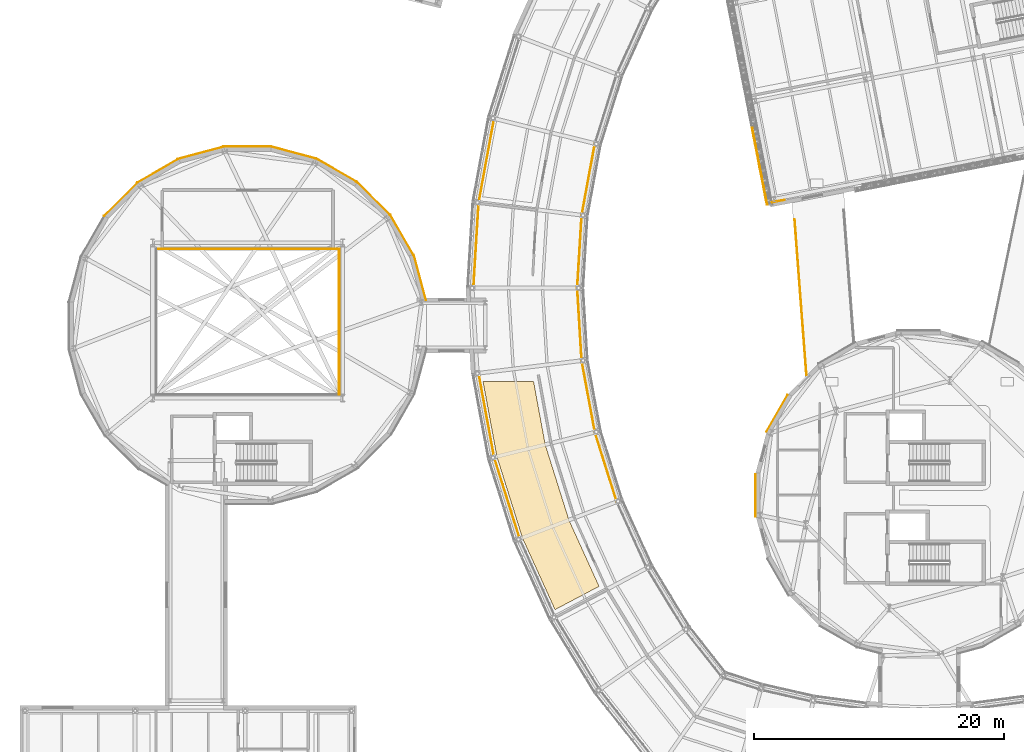
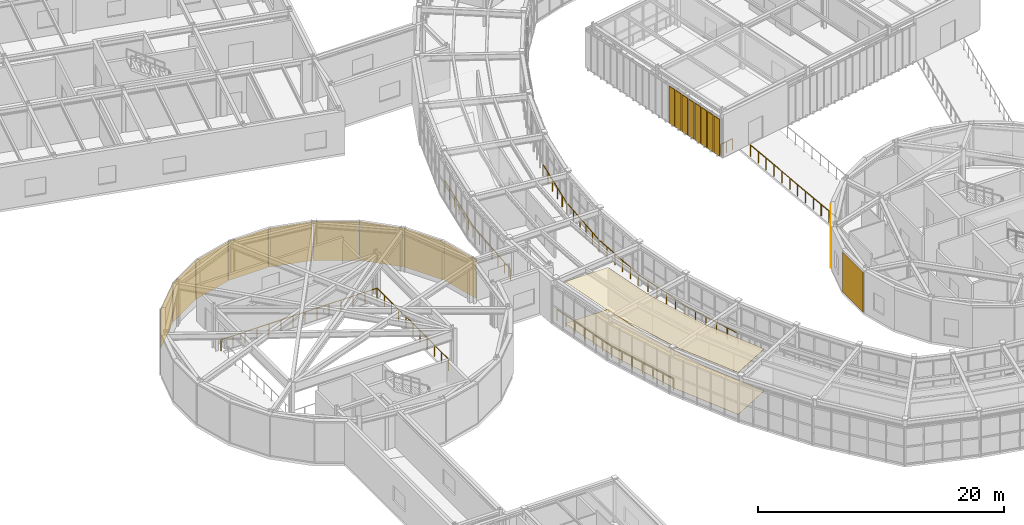
# One storey, part 91 of 103: 13 coverings, 13 railings, 8 shading devices.
"""IFC4 building model written with IfcOpenShell, lengths in metres."""

from ifc_helpers import new_model, si_unit, direction, frame, origin, origin_2d, place, context, subcontext, project, spatial, polyline, rectangle, circle, outline, extrude, material, layer, layer_set, type_object, element, save


model = new_model("IFC4")

# Units and contexts
model_context = context("Model", 3, precision=1e-05, world=origin(), true_north=direction((0.0, 1.0)))
body_context = subcontext(model_context, "Body", "Model", "MODEL_VIEW")
ifc_project = project(units=[si_unit("LENGTHUNIT", "METRE"), si_unit("AREAUNIT", "SQUARE_METRE"), si_unit("VOLUMEUNIT", "CUBIC_METRE"), si_unit("PLANEANGLEUNIT", "RADIAN"), si_unit("MASSUNIT", "GRAM", prefix="KILO")], contexts=[model_context])

# Site, building, storey
site_placement = place(None, origin())
site = spatial("IfcSite", under=ifc_project, at=site_placement, CompositionType="ELEMENT")
building_placement = place(site_placement, origin())
building = spatial("IfcBuilding", under=site, at=building_placement, Name="Varnklinge Art Gallery", CompositionType="ELEMENT")
storey_placement = place(building_placement, frame((0.0, 0.0, 5.10009765625)))
storey = spatial("IfcBuildingStorey", under=building, at=storey_placement, Name="L01", CompositionType="ELEMENT", Elevation=5.10009765625)

# Railings
ifc_material_1 = material(Name="Anodised Aluminium", Category="aluminium")
railing_type_1 = type_object("IfcRailingType", Name="BAL-01", PredefinedType="BALUSTRADE", material=ifc_material_1)
railing_1_placement = place(storey_placement, frame((41.509033203125, 68.5390625, 0.0)))
element("IfcRailing", 1, at=railing_1_placement, inside=storey, type_object=railing_type_1, Name="L01 Ring Outer Glazing Guard 25", PredefinedType="BALUSTRADE", context=body_context, shape_type="SweptSolid", body=[
    extrude(circle(Radius=0.02392578125, at=origin_2d()), frame((0.0, 0.0, 1.11572265625), z_axis=(-0.18162349741, -0.983368143265, 0.0), x_axis=(0.983368143265, -0.18162349741, 0.0)), (0.0, 0.0, 1.0), 6.83251953125),
    extrude(circle(Radius=0.02099609375, at=origin_2d()), origin(), (0.0, 0.0, 1.0), 1.091796875),
    extrude(circle(Radius=0.02099609375, at=origin_2d()), frame((-0.206787109375, -1.119873046875, 0.0)), (0.0, 0.0, 1.0), 1.091796875),
    extrude(circle(Radius=0.02099609375, at=origin_2d()), frame((-0.41357421875, -2.23974609375, 0.0)), (0.0, 0.0, 1.0), 1.091796875),
    extrude(circle(Radius=0.02099609375, at=origin_2d()), frame((-0.62060546875, -3.359375, 0.0)), (0.0, 0.0, 1.0), 1.091796875),
    extrude(circle(Radius=0.02099609375, at=origin_2d()), frame((-0.827392578125, -4.479248046875, 0.0)), (0.0, 0.0, 1.0), 1.091796875),
    extrude(circle(Radius=0.02099609375, at=origin_2d()), frame((-1.0341796875, -5.59912109375, 0.0)), (0.0, 0.0, 1.0), 1.091796875),
    extrude(circle(Radius=0.02099609375, at=origin_2d()), frame((-1.240966796875, -6.718994140625, 0.0)), (0.0, 0.0, 1.0), 1.091796875),
])
railing_2_placement = place(storey_placement, frame((49.559814453125, 66.538818359375, 0.0)))
element("IfcRailing", 2, at=railing_2_placement, inside=storey, type_object=railing_type_1, Name="L01 Ring Inner Glazing Guard 25", PredefinedType="BALUSTRADE", context=body_context, shape_type="SweptSolid", body=[
    extrude(circle(Radius=0.02392578125, at=origin_2d()), frame((0.0, 0.0, 1.11572265625), z_axis=(-0.181662871488, -0.983360870242, 0.0), x_axis=(0.983360870242, -0.181662871488, 0.0)), (0.0, 0.0, 1.0), 5.8232421875),
    extrude(circle(Radius=0.02099609375, at=origin_2d()), origin(), (0.0, 0.0, 1.0), 1.091796875),
    extrude(circle(Radius=0.02099609375, at=origin_2d()), frame((-0.211669921875, -1.145263671875, 0.0)), (0.0, 0.0, 1.0), 1.091796875),
    extrude(circle(Radius=0.02099609375, at=origin_2d()), frame((-0.423095703125, -2.29052734375, 0.0)), (0.0, 0.0, 1.0), 1.091796875),
    extrude(circle(Radius=0.02099609375, at=origin_2d()), frame((-0.634765625, -3.435791015625, 0.0)), (0.0, 0.0, 1.0), 1.091796875),
    extrude(circle(Radius=0.02099609375, at=origin_2d()), frame((-0.84619140625, -4.5810546875, 0.0)), (0.0, 0.0, 1.0), 1.091796875),
    extrude(circle(Radius=0.02099609375, at=origin_2d()), frame((-1.057861328125, -5.726318359375, 0.0)), (0.0, 0.0, 1.0), 1.091796875),
])
railing_3_placement = place(storey_placement, frame((40.26806640625, 61.820068359375, 0.0)))
element("IfcRailing", 3, at=railing_3_placement, inside=storey, type_object=railing_type_1, Name="L01 Ring Outer Glazing Guard 26", PredefinedType="BALUSTRADE", context=body_context, shape_type="SweptSolid", body=[
    extrude(circle(Radius=0.02392578125, at=origin_2d()), frame((0.0, 0.0, 1.11572265625), z_axis=(-0.060849980663, -0.998146922979, 0.0), x_axis=(0.998146922979, -0.060849980663, 0.0)), (0.0, 0.0, 1.0), 6.832763671875),
    extrude(circle(Radius=0.02099609375, at=origin_2d()), origin(), (0.0, 0.0, 1.0), 1.091796875),
    extrude(circle(Radius=0.02099609375, at=origin_2d()), frame((-0.0693359375, -1.13671875, 0.0)), (0.0, 0.0, 1.0), 1.091796875),
    extrude(circle(Radius=0.02099609375, at=origin_2d()), frame((-0.138671875, -2.2734375, 0.0)), (0.0, 0.0, 1.0), 1.091796875),
    extrude(circle(Radius=0.02099609375, at=origin_2d()), frame((-0.2080078125, -3.41015625, 0.0)), (0.0, 0.0, 1.0), 1.091796875),
    extrude(circle(Radius=0.02099609375, at=origin_2d()), frame((-0.277099609375, -4.546630859375, 0.0)), (0.0, 0.0, 1.0), 1.091796875),
    extrude(circle(Radius=0.02099609375, at=origin_2d()), frame((-0.346435546875, -5.683349609375, 0.0)), (0.0, 0.0, 1.0), 1.091796875),
    extrude(circle(Radius=0.02099609375, at=origin_2d()), frame((-0.415771484375, -6.820068359375, 0.0)), (0.0, 0.0, 1.0), 1.091796875),
])
railing_4_placement = place(storey_placement, frame((48.501953125, 60.8125, 0.0)))
element("IfcRailing", 4, at=railing_4_placement, inside=storey, type_object=railing_type_1, Name="L01 Ring Inner Glazing Guard 26", PredefinedType="BALUSTRADE", context=body_context, shape_type="SweptSolid", body=[
    extrude(circle(Radius=0.02392578125, at=origin_2d()), frame((0.0, 0.0, 1.11572265625), z_axis=(-0.060833026075, -0.998147956437, 0.0), x_axis=(0.998147956437, -0.060833026075, 0.0)), (0.0, 0.0, 1.0), 5.8232421875),
    extrude(circle(Radius=0.02099609375, at=origin_2d()), origin(), (0.0, 0.0, 1.0), 1.091796875),
    extrude(circle(Radius=0.02099609375, at=origin_2d()), frame((-0.07080078125, -1.16259765625, 0.0)), (0.0, 0.0, 1.0), 1.091796875),
    extrude(circle(Radius=0.02099609375, at=origin_2d()), frame((-0.1416015625, -2.324951171875, 0.0)), (0.0, 0.0, 1.0), 1.091796875),
    extrude(circle(Radius=0.02099609375, at=origin_2d()), frame((-0.212646484375, -3.487548828125, 0.0)), (0.0, 0.0, 1.0), 1.091796875),
    extrude(circle(Radius=0.02099609375, at=origin_2d()), frame((-0.283447265625, -4.64990234375, 0.0)), (0.0, 0.0, 1.0), 1.091796875),
    extrude(circle(Radius=0.02099609375, at=origin_2d()), frame((-0.354248046875, -5.8125, 0.0)), (0.0, 0.0, 1.0), 1.091796875),
])
railing_5_placement = place(storey_placement, frame((48.147705078125, 55.0, 0.0)))
element("IfcRailing", 5, at=railing_5_placement, inside=storey, type_object=railing_type_1, Name="L01 Ring Inner Glazing Guard 27", PredefinedType="BALUSTRADE", context=body_context, shape_type="SweptSolid", body=[
    extrude(circle(Radius=0.02392578125, at=origin_2d()), frame((0.0, 0.0, 1.11572265625), z_axis=(0.060833026075, -0.998147956437, 0.0), x_axis=(0.998147956437, 0.060833026075, 0.0)), (0.0, 0.0, 1.0), 5.8232421875),
    extrude(circle(Radius=0.02099609375, at=origin_2d()), origin(), (0.0, 0.0, 1.0), 1.091796875),
    extrude(circle(Radius=0.02099609375, at=origin_2d()), frame((0.07080078125, -1.16259765625, 0.0)), (0.0, 0.0, 1.0), 1.091796875),
    extrude(circle(Radius=0.02099609375, at=origin_2d()), frame((0.1416015625, -2.324951171875, 0.0)), (0.0, 0.0, 1.0), 1.091796875),
    extrude(circle(Radius=0.02099609375, at=origin_2d()), frame((0.212646484375, -3.487548828125, 0.0)), (0.0, 0.0, 1.0), 1.091796875),
    extrude(circle(Radius=0.02099609375, at=origin_2d()), frame((0.283447265625, -4.64990234375, 0.0)), (0.0, 0.0, 1.0), 1.091796875),
    extrude(circle(Radius=0.02099609375, at=origin_2d()), frame((0.354248046875, -5.8125, 0.0)), (0.0, 0.0, 1.0), 1.091796875),
])
railing_6_placement = place(storey_placement, frame((40.26806640625, 48.179931640625, 0.0)))
element("IfcRailing", 6, at=railing_6_placement, inside=storey, type_object=railing_type_1, Name="L01 Ring Outer Glazing Guard 28", PredefinedType="BALUSTRADE", context=body_context, shape_type="SweptSolid", body=[
    extrude(circle(Radius=0.02392578125, at=origin_2d()), frame((0.0, 0.0, 1.11572265625), z_axis=(0.18162349741, -0.983368143265, 0.0), x_axis=(0.983368143265, 0.18162349741, 0.0)), (0.0, 0.0, 1.0), 6.83251953125),
    extrude(circle(Radius=0.02099609375, at=origin_2d()), origin(), (0.0, 0.0, 1.0), 1.091796875),
    extrude(circle(Radius=0.02099609375, at=origin_2d()), frame((0.206787109375, -1.119873046875, 0.0)), (0.0, 0.0, 1.0), 1.091796875),
    extrude(circle(Radius=0.02099609375, at=origin_2d()), frame((0.41357421875, -2.23974609375, 0.0)), (0.0, 0.0, 1.0), 1.091796875),
    extrude(circle(Radius=0.02099609375, at=origin_2d()), frame((0.62060546875, -3.359375, 0.0)), (0.0, 0.0, 1.0), 1.091796875),
    extrude(circle(Radius=0.02099609375, at=origin_2d()), frame((0.827392578125, -4.479248046875, 0.0)), (0.0, 0.0, 1.0), 1.091796875),
    extrude(circle(Radius=0.02099609375, at=origin_2d()), frame((1.0341796875, -5.59912109375, 0.0)), (0.0, 0.0, 1.0), 1.091796875),
    extrude(circle(Radius=0.02099609375, at=origin_2d()), frame((1.240966796875, -6.718994140625, 0.0)), (0.0, 0.0, 1.0), 1.091796875),
])
railing_7_placement = place(storey_placement, frame((48.501953125, 49.1875, 0.0)))
element("IfcRailing", 7, at=railing_7_placement, inside=storey, type_object=railing_type_1, Name="L01 Ring Inner Glazing Guard 28", PredefinedType="BALUSTRADE", context=body_context, shape_type="SweptSolid", body=[
    extrude(circle(Radius=0.02392578125, at=origin_2d()), frame((0.0, 0.0, 1.11572265625), z_axis=(0.181662871488, -0.983360870242, 0.0), x_axis=(0.983360870242, 0.181662871488, 0.0)), (0.0, 0.0, 1.0), 5.8232421875),
    extrude(circle(Radius=0.02099609375, at=origin_2d()), origin(), (0.0, 0.0, 1.0), 1.091796875),
    extrude(circle(Radius=0.02099609375, at=origin_2d()), frame((0.211669921875, -1.145263671875, 0.0)), (0.0, 0.0, 1.0), 1.091796875),
    extrude(circle(Radius=0.02099609375, at=origin_2d()), frame((0.423095703125, -2.29052734375, 0.0)), (0.0, 0.0, 1.0), 1.091796875),
    extrude(circle(Radius=0.02099609375, at=origin_2d()), frame((0.634765625, -3.435791015625, 0.0)), (0.0, 0.0, 1.0), 1.091796875),
    extrude(circle(Radius=0.02099609375, at=origin_2d()), frame((0.84619140625, -4.5810546875, 0.0)), (0.0, 0.0, 1.0), 1.091796875),
    extrude(circle(Radius=0.02099609375, at=origin_2d()), frame((1.057861328125, -5.726318359375, 0.0)), (0.0, 0.0, 1.0), 1.091796875),
])
railing_8_placement = place(storey_placement, frame((41.509033203125, 41.4609375, 0.0)))
element("IfcRailing", 8, at=railing_8_placement, inside=storey, type_object=railing_type_1, Name="L01 Ring Outer Glazing Guard 29", PredefinedType="BALUSTRADE", context=body_context, shape_type="SweptSolid", body=[
    extrude(circle(Radius=0.02392578125, at=origin_2d()), frame((0.0, 0.0, 1.11572265625), z_axis=(0.299747621108, -0.954018534222, 0.0), x_axis=(0.954018534222, 0.299747621108, 0.0)), (0.0, 0.0, 1.0), 6.832763671875),
    extrude(circle(Radius=0.02099609375, at=origin_2d()), origin(), (0.0, 0.0, 1.0), 1.091796875),
    extrude(circle(Radius=0.02099609375, at=origin_2d()), frame((0.34130859375, -1.08642578125, 0.0)), (0.0, 0.0, 1.0), 1.091796875),
    extrude(circle(Radius=0.02099609375, at=origin_2d()), frame((0.6826171875, -2.1728515625, 0.0)), (0.0, 0.0, 1.0), 1.091796875),
    extrude(circle(Radius=0.02099609375, at=origin_2d()), frame((1.02392578125, -3.25927734375, 0.0)), (0.0, 0.0, 1.0), 1.091796875),
    extrude(circle(Radius=0.02099609375, at=origin_2d()), frame((1.365478515625, -4.345703125, 0.0)), (0.0, 0.0, 1.0), 1.091796875),
    extrude(circle(Radius=0.02099609375, at=origin_2d()), frame((1.706787109375, -5.43212890625, 0.0)), (0.0, 0.0, 1.0), 1.091796875),
    extrude(circle(Radius=0.02099609375, at=origin_2d()), frame((2.048095703125, -6.5185546875, 0.0)), (0.0, 0.0, 1.0), 1.091796875),
])
railing_9_placement = place(storey_placement, frame((49.559814453125, 43.461181640625, 0.0)))
element("IfcRailing", 9, at=railing_9_placement, inside=storey, type_object=railing_type_1, Name="L01 Ring Inner Glazing Guard 29", PredefinedType="BALUSTRADE", context=body_context, shape_type="SweptSolid", body=[
    extrude(circle(Radius=0.02392578125, at=origin_2d()), frame((0.0, 0.0, 1.11572265625), z_axis=(0.299728477264, -0.954024548907, 0.0), x_axis=(0.954024548907, 0.299728477264, 0.0)), (0.0, 0.0, 1.0), 5.8232421875),
    extrude(circle(Radius=0.02099609375, at=origin_2d()), origin(), (0.0, 0.0, 1.0), 1.091796875),
    extrude(circle(Radius=0.02099609375, at=origin_2d()), frame((0.34912109375, -1.111083984375, 0.0)), (0.0, 0.0, 1.0), 1.091796875),
    extrude(circle(Radius=0.02099609375, at=origin_2d()), frame((0.6982421875, -2.22216796875, 0.0)), (0.0, 0.0, 1.0), 1.091796875),
    extrude(circle(Radius=0.02099609375, at=origin_2d()), frame((1.047119140625, -3.333251953125, 0.0)), (0.0, 0.0, 1.0), 1.091796875),
    extrude(circle(Radius=0.02099609375, at=origin_2d()), frame((1.396240234375, -4.4443359375, 0.0)), (0.0, 0.0, 1.0), 1.091796875),
    extrude(circle(Radius=0.02099609375, at=origin_2d()), frame((1.745361328125, -5.555419921875, 0.0)), (0.0, 0.0, 1.0), 1.091796875),
])
railing_10_placement = place(storey_placement, frame((63.52197265625, 61.7978515625, 0.0)))
element("IfcRailing", 10, at=railing_10_placement, inside=storey, type_object=railing_type_1, Name="BAL-V4B-L01-1-1-1", PredefinedType="BALUSTRADE", context=body_context, shape_type="SweptSolid", body=[
    extrude(circle(Radius=0.02392578125, at=origin_2d()), frame((0.0, 0.0, 1.11572265625), z_axis=(0.981631986656, 0.190784283353, 0.0), x_axis=(-0.190784283353, 0.981631986656, 0.0)), (0.0, 0.0, 1.0), 1.224609375),
    extrude(circle(Radius=0.02099609375, at=origin_2d()), origin(), (0.0, 0.0, 1.0), 1.091796875),
    extrude(circle(Radius=0.02099609375, at=origin_2d()), frame((0.60107421875, 0.11669921875, 0.0)), (0.0, 0.0, 1.0), 1.091796875),
    extrude(circle(Radius=0.02099609375, at=origin_2d()), frame((1.2021484375, 0.233642578125, 0.0)), (0.0, 0.0, 1.0), 1.091796875),
])
railing_11_placement = place(storey_placement, frame((29.1201171875, 46.47998046875, 0.0)))
element("IfcRailing", 11, at=railing_11_placement, inside=storey, type_object=railing_type_1, Name="L01 Atrium Void Balustrade 4.1", PredefinedType="BALUSTRADE", context=body_context, shape_type="SweptSolid", body=[
    extrude(circle(Radius=0.02392578125, at=origin_2d()), frame((0.0, 0.0, 1.11572265625), z_axis=(0.0, 1.0, 0.0), x_axis=(-1.0, 0.0, 0.0)), (0.0, 0.0, 1.0), 11.64013671875),
    extrude(circle(Radius=0.02099609375, at=origin_2d()), origin(), (0.0, 0.0, 1.0), 1.091796875),
    extrude(circle(Radius=0.02099609375, at=origin_2d()), frame((0.0, 1.1640625, 0.0)), (0.0, 0.0, 1.0), 1.091796875),
    extrude(circle(Radius=0.02099609375, at=origin_2d()), frame((0.0, 2.328125, 0.0)), (0.0, 0.0, 1.0), 1.091796875),
    extrude(circle(Radius=0.02099609375, at=origin_2d()), frame((0.0, 3.491943359375, 0.0)), (0.0, 0.0, 1.0), 1.091796875),
    extrude(circle(Radius=0.02099609375, at=origin_2d()), frame((0.0, 4.656005859375, 0.0)), (0.0, 0.0, 1.0), 1.091796875),
    extrude(circle(Radius=0.02099609375, at=origin_2d()), frame((0.0, 5.820068359375, 0.0)), (0.0, 0.0, 1.0), 1.091796875),
    extrude(circle(Radius=0.02099609375, at=origin_2d()), frame((0.0, 6.984130859375, 0.0)), (0.0, 0.0, 1.0), 1.091796875),
    extrude(circle(Radius=0.02099609375, at=origin_2d()), frame((0.0, 8.148193359375, 0.0)), (0.0, 0.0, 1.0), 1.091796875),
    extrude(circle(Radius=0.02099609375, at=origin_2d()), frame((0.0, 9.31201171875, 0.0)), (0.0, 0.0, 1.0), 1.091796875),
    extrude(circle(Radius=0.02099609375, at=origin_2d()), frame((0.0, 10.47607421875, 0.0)), (0.0, 0.0, 1.0), 1.091796875),
    extrude(circle(Radius=0.02099609375, at=origin_2d()), frame((0.0, 11.64013671875, 0.0)), (0.0, 0.0, 1.0), 1.091796875),
])
railing_12_placement = place(storey_placement, frame((29.1201171875, 58.1201171875, 0.0)))
element("IfcRailing", 12, at=railing_12_placement, inside=storey, type_object=railing_type_1, Name="L01 Atrium Void Balustrade 4.2", PredefinedType="BALUSTRADE", context=body_context, shape_type="SweptSolid", body=[
    extrude(circle(Radius=0.02392578125, at=origin_2d()), frame((0.0, 0.0, 1.11572265625), z_axis=(-1.0, 0.0, 0.0), x_axis=(0.0, -1.0, 0.0)), (0.0, 0.0, 1.0), 14.64013671875),
    extrude(circle(Radius=0.02099609375, at=origin_2d()), origin(), (0.0, 0.0, 1.0), 1.091796875),
    extrude(circle(Radius=0.02099609375, at=origin_2d()), frame((-1.126220703125, 0.0, 0.0)), (0.0, 0.0, 1.0), 1.091796875),
    extrude(circle(Radius=0.02099609375, at=origin_2d()), frame((-2.25244140625, 0.0, 0.0)), (0.0, 0.0, 1.0), 1.091796875),
    extrude(circle(Radius=0.02099609375, at=origin_2d()), frame((-3.37841796875, 0.0, 0.0)), (0.0, 0.0, 1.0), 1.091796875),
    extrude(circle(Radius=0.02099609375, at=origin_2d()), frame((-4.504638671875, 0.0, 0.0)), (0.0, 0.0, 1.0), 1.091796875),
    extrude(circle(Radius=0.02099609375, at=origin_2d()), frame((-5.630859375, 0.0, 0.0)), (0.0, 0.0, 1.0), 1.091796875),
    extrude(circle(Radius=0.02099609375, at=origin_2d()), frame((-6.757080078125, 0.0, 0.0)), (0.0, 0.0, 1.0), 1.091796875),
    extrude(circle(Radius=0.02099609375, at=origin_2d()), frame((-7.883056640625, 0.0, 0.0)), (0.0, 0.0, 1.0), 1.091796875),
    extrude(circle(Radius=0.02099609375, at=origin_2d()), frame((-9.00927734375, 0.0, 0.0)), (0.0, 0.0, 1.0), 1.091796875),
    extrude(circle(Radius=0.02099609375, at=origin_2d()), frame((-10.135498046875, 0.0, 0.0)), (0.0, 0.0, 1.0), 1.091796875),
    extrude(circle(Radius=0.02099609375, at=origin_2d()), frame((-11.26171875, 0.0, 0.0)), (0.0, 0.0, 1.0), 1.091796875),
    extrude(circle(Radius=0.02099609375, at=origin_2d()), frame((-12.3876953125, 0.0, 0.0)), (0.0, 0.0, 1.0), 1.091796875),
    extrude(circle(Radius=0.02099609375, at=origin_2d()), frame((-13.513916015625, 0.0, 0.0)), (0.0, 0.0, 1.0), 1.091796875),
    extrude(circle(Radius=0.02099609375, at=origin_2d()), frame((-14.64013671875, 0.0, 0.0)), (0.0, 0.0, 1.0), 1.091796875),
])
ifc_material_2 = material(Name="Anodised Aluminium", Category="aluminium")
railing_type_2 = type_object("IfcRailingType", Name="BAL-EXT", PredefinedType="BALUSTRADE", material=ifc_material_2)
railing_13_placement = place(storey_placement, frame((66.472412109375, 48.051025390625, 0.0)))
element("IfcRailing", 13, at=railing_13_placement, inside=storey, type_object=railing_type_2, Name="L01 West Sculpture Court Bridge Balustrade E1", PredefinedType="BALUSTRADE", context=body_context, shape_type="SweptSolid", body=[
    extrude(circle(Radius=0.02392578125, at=origin_2d()), frame((0.0, 0.0, 1.1357421875), z_axis=(-0.07592038777, 0.997113882523, 0.0), x_axis=(-0.997113882523, -0.07592038777, 0.0)), (0.0, 0.0, 1.0), 12.4609375),
    extrude(circle(Radius=0.02099609375, at=origin_2d()), origin(), (0.0, 0.0, 1.0), 1.11181640625),
    extrude(circle(Radius=0.02099609375, at=origin_2d()), frame((-0.0859375, 1.129638671875, 0.0)), (0.0, 0.0, 1.0), 1.11181640625),
    extrude(circle(Radius=0.02099609375, at=origin_2d()), frame((-0.172119140625, 2.259033203125, 0.0)), (0.0, 0.0, 1.0), 1.11181640625),
    extrude(circle(Radius=0.02099609375, at=origin_2d()), frame((-0.258056640625, 3.388671875, 0.0)), (0.0, 0.0, 1.0), 1.11181640625),
    extrude(circle(Radius=0.02099609375, at=origin_2d()), frame((-0.343994140625, 4.518310546875, 0.0)), (0.0, 0.0, 1.0), 1.11181640625),
    extrude(circle(Radius=0.02099609375, at=origin_2d()), frame((-0.429931640625, 5.647705078125, 0.0)), (0.0, 0.0, 1.0), 1.11181640625),
    extrude(circle(Radius=0.02099609375, at=origin_2d()), frame((-0.51611328125, 6.77734375, 0.0)), (0.0, 0.0, 1.0), 1.11181640625),
    extrude(circle(Radius=0.02099609375, at=origin_2d()), frame((-0.60205078125, 7.90673828125, 0.0)), (0.0, 0.0, 1.0), 1.11181640625),
    extrude(circle(Radius=0.02099609375, at=origin_2d()), frame((-0.68798828125, 9.036376953125, 0.0)), (0.0, 0.0, 1.0), 1.11181640625),
    extrude(circle(Radius=0.02099609375, at=origin_2d()), frame((-0.77392578125, 10.166015625, 0.0)), (0.0, 0.0, 1.0), 1.11181640625),
    extrude(circle(Radius=0.02099609375, at=origin_2d()), frame((-0.860107421875, 11.29541015625, 0.0)), (0.0, 0.0, 1.0), 1.11181640625),
    extrude(circle(Radius=0.02099609375, at=origin_2d()), frame((-0.946044921875, 12.425048828125, 0.0)), (0.0, 0.0, 1.0), 1.11181640625),
])

# Coverings
ifc_material_3 = material(Name="Oxide Terracotta Panel", Category="masonry")
ifc_layer_1 = layer(ifc_material_3, 0.034912109375)
ifc_layer_set_1 = layer_set([ifc_layer_1], Name="Oxide Terracotta Panel")
covering_type_1 = type_object("IfcCoveringType", Name="CLD-TER", PredefinedType="CLADDING", material=ifc_layer_set_1)
covering_1_placement = place(storey_placement, frame((11.628662109375, 62.0439453125, 0.14990234375), z_axis=(0.0, 0.0, 1.0), x_axis=(0.707106781187, 0.707106781187, 0.0)))
element("IfcCovering", 14, at=covering_1_placement, inside=storey, type_object=covering_type_1, Name="L01 Oxide Terracotta Drum Cladding EW-V3-L01-14", PredefinedType="CLADDING", context=body_context, shape_type="SweptSolid", body=[
    extrude(rectangle(XDim=3.691650390625, YDim=0.034912109375, at=origin_2d()), origin(), (0.0, 0.0, 1.0), 3.8701171875),
])
covering_2_placement = place(storey_placement, frame((14.574951171875, 64.334228515625, 0.14990234375), z_axis=(0.0, 0.0, 1.0), x_axis=(0.866025403784, 0.5, 0.0)))
element("IfcCovering", 15, at=covering_2_placement, inside=storey, type_object=covering_type_1, Name="L01 Oxide Terracotta Drum Cladding EW-V3-L01-15", PredefinedType="CLADDING", context=body_context, shape_type="SweptSolid", body=[
    extrude(rectangle(XDim=3.69189453125, YDim=0.034912109375, at=origin_2d()), origin(), (0.0, 0.0, 1.0), 3.8701171875),
])
covering_3_placement = place(storey_placement, frame((18.013427734375, 65.783935546875, 0.14990234375), z_axis=(0.0, 0.0, 1.0), x_axis=(0.965925826289, 0.258819045103, 0.0)))
element("IfcCovering", 16, at=covering_3_placement, inside=storey, type_object=covering_type_1, Name="L01 Oxide Terracotta Drum Cladding EW-V3-L01-16", PredefinedType="CLADDING", context=body_context, shape_type="SweptSolid", body=[
    extrude(rectangle(XDim=3.691650390625, YDim=0.034912109375, at=origin_2d()), origin(), (0.0, 0.0, 1.0), 3.8701171875),
])
covering_4_placement = place(storey_placement, frame((21.7099609375, 66.294189453125, 0.14990234375), z_axis=(0.0, 0.0, 1.0), x_axis=(1.0, 0.0, 0.0)))
element("IfcCovering", 17, at=covering_4_placement, inside=storey, type_object=covering_type_1, Name="L01 Oxide Terracotta Drum Cladding EW-V3-L01-17", PredefinedType="CLADDING", context=body_context, shape_type="SweptSolid", body=[
    extrude(rectangle(XDim=3.69189453125, YDim=0.034912109375, at=origin_2d()), origin(), (0.0, 0.0, 1.0), 3.8701171875),
])
covering_5_placement = place(storey_placement, frame((25.41259765625, 65.83056640625, 0.14990234375), z_axis=(0.0, 0.0, 1.0), x_axis=(0.965925826289, -0.258819045103, 0.0)))
element("IfcCovering", 18, at=covering_5_placement, inside=storey, type_object=covering_type_1, Name="L01 Oxide Terracotta Drum Cladding EW-V3-L01-18", PredefinedType="CLADDING", context=body_context, shape_type="SweptSolid", body=[
    extrude(rectangle(XDim=3.691650390625, YDim=0.034912109375, at=origin_2d()), origin(), (0.0, 0.0, 1.0), 3.8701171875),
])
covering_6_placement = place(storey_placement, frame((28.869140625, 64.42431640625, 0.14990234375), z_axis=(0.0, 0.0, 1.0), x_axis=(0.866025403784, -0.5, 0.0)))
element("IfcCovering", 19, at=covering_6_placement, inside=storey, type_object=covering_type_1, Name="L01 Oxide Terracotta Drum Cladding EW-V3-L01-19", PredefinedType="CLADDING", context=body_context, shape_type="SweptSolid", body=[
    extrude(rectangle(XDim=3.69189453125, YDim=0.034912109375, at=origin_2d()), origin(), (0.0, 0.0, 1.0), 3.8701171875),
])
covering_7_placement = place(storey_placement, frame((31.843994140625, 62.17138671875, 0.14990234375), z_axis=(0.0, 0.0, 1.0), x_axis=(0.707106781187, -0.707106781187, 0.0)))
element("IfcCovering", 20, at=covering_7_placement, inside=storey, type_object=covering_type_1, Name="L01 Oxide Terracotta Drum Cladding EW-V3-L01-20", PredefinedType="CLADDING", context=body_context, shape_type="SweptSolid", body=[
    extrude(rectangle(XDim=3.691650390625, YDim=0.034912109375, at=origin_2d()), origin(), (0.0, 0.0, 1.0), 3.8701171875),
])
covering_8_placement = place(storey_placement, frame((34.13427734375, 59.22509765625, 0.14990234375), z_axis=(0.0, 0.0, 1.0), x_axis=(0.5, -0.866025403784, 0.0)))
element("IfcCovering", 21, at=covering_8_placement, inside=storey, type_object=covering_type_1, Name="L01 Oxide Terracotta Drum Cladding EW-V3-L01-21", PredefinedType="CLADDING", context=body_context, shape_type="SweptSolid", body=[
    extrude(rectangle(XDim=3.69189453125, YDim=0.034912109375, at=origin_2d()), origin(), (0.0, 0.0, 1.0), 3.8701171875),
])
covering_9_placement = place(storey_placement, frame((35.580810546875, 55.798583984375, 0.14990234375), z_axis=(0.0, 0.0, 1.0), x_axis=(0.258819045103, -0.965925826289, 0.0)))
element("IfcCovering", 22, at=covering_9_placement, inside=storey, type_object=covering_type_1, Name="L01 Oxide Terracotta Drum Cladding EW-V3-L01-22", PredefinedType="CLADDING", context=body_context, shape_type="SweptSolid", body=[
    extrude(rectangle(XDim=3.666748046875, YDim=0.034912109375, at=origin_2d()), origin(), (0.0, 0.0, 1.0), 3.8701171875),
])
ifc_material_4 = material(Name="Pre-weathered Zinc", Category="metal")
ifc_layer_2 = layer(ifc_material_4, 0.02490234375)
ifc_layer_set_2 = layer_set([ifc_layer_2], Name="Pre-weathered Zinc")
covering_type_2 = type_object("IfcCoveringType", Name="CLD-ZNC", PredefinedType="CLADDING", material=ifc_layer_set_2)
for number, where, z_axis, x_axis, name in (
    (23, (62.400390625, 38.4150390625, 0.041015625), (0.0, 0.0, 1.0), (0.0, 1.0, 0.0), "L01 Brushed Zinc Drum Cladding EW-V4D-L01-12"),
    (24, (64.11279296875, 44.976318359375, 0.041015625), (0.0, 0.0, 1.0), (0.5, 0.866025403784, 0.0), "L01 Brushed Zinc Drum Cladding EW-V4D-L01-14"),
):
    element("IfcCovering", number, at=place(storey_placement, frame(where, z_axis=z_axis, x_axis=x_axis)), inside=storey, type_object=covering_type_2, Name=name, PredefinedType="CLADDING", context=body_context, shape_type="SweptSolid", body=[
        extrude(rectangle(XDim=3.39111328125, YDim=0.02490234375, at=origin_2d()), origin(), (0.0, 0.0, 1.0), 3.949951171875),
    ])
ifc_material_5 = material(Name="Acoustic Mineral Tile", Category="mineral")
ifc_layer_3 = layer(ifc_material_5, 0.02490234375)
ifc_layer_set_3 = layer_set([ifc_layer_3], Name="Acoustic Mineral Tile")
covering_type_3 = type_object("IfcCoveringType", Name="CLG-AC", PredefinedType="CEILING", material=ifc_layer_set_3)
covering_10_placement = place(storey_placement, frame((0.0, 0.0, 4.15478515625)))
element("IfcCovering", 25, at=covering_10_placement, inside=storey, type_object=covering_type_3, Name="L01 Acoustic Mineral Ceiling 022", PredefinedType="CEILING", context=body_context, shape_type="SweptSolid", body=[
    extrude(outline(polyline([(44.656494140625, 47.5), (40.617431640625, 47.5), (41.72314453125, 41.51416015625), (43.762939453125, 35.021240234375), (46.369384765625, 29.2802734375), (49.885986328125, 31.142578125), (47.4921875, 36.4150390625), (47.470703125, 36.4716796875), (45.593994140625, 42.444580078125), (45.579345703125, 42.503662109375), (44.656494140625, 47.5)])), origin(), (0.0, 0.0, 1.0), 0.025146484375),
])
ifc_material_6 = material(Name="Polished Terrazzo Flooring", Category="stone")
ifc_layer_4 = layer(ifc_material_6, 0.02001953125)
ifc_layer_set_4 = layer_set([ifc_layer_4], Name="Polished Terrazzo Flooring")
covering_type_4 = type_object("IfcCoveringType", Name="FLR-STN", PredefinedType="FLOORING", material=ifc_layer_set_4)
covering_11_placement = place(storey_placement, origin())
element("IfcCovering", 26, at=covering_11_placement, inside=storey, type_object=covering_type_4, Name="L01 Gallery Terrazzo Flooring 022", PredefinedType="FLOORING", context=body_context, shape_type="SweptSolid", body=[
    extrude(outline(polyline([(44.656494140625, 47.5), (40.617431640625, 47.5), (41.72314453125, 41.51416015625), (43.762939453125, 35.021240234375), (46.369384765625, 29.2802734375), (49.885986328125, 31.142578125), (47.4921875, 36.4150390625), (47.470703125, 36.4716796875), (45.593994140625, 42.444580078125), (45.579345703125, 42.503662109375), (44.656494140625, 47.5)])), origin(), (0.0, 0.0, 1.0), 0.02001953125),
])

# Shading devices
ifc_material_7 = material(Name="Perforated Aluminium-Precast Lattice", Category="concrete")
ifc_layer_5 = layer(ifc_material_7, 0.06005859375)
ifc_layer_set_5 = layer_set([ifc_layer_5], Name="Perforated Aluminium-Precast Lattice")
shading_device_type = type_object("IfcShadingDeviceType", Name="SHD-LAT", PredefinedType="USERDEFINED", material=ifc_layer_set_5)
for number, where, z_axis, x_axis, name in (
    (27, (62.195556640625, 67.468994140625, 0.099853515625), (0.0, 0.0, 1.0), (0.190808995377, -0.981627183448, 0.0), "L01 Perforated Lattice Screen 4.2.7"),
    (28, (62.34814453125, 66.68359375, 0.099853515625), (0.0, 0.0, 1.0), (0.190808995377, -0.981627183448, 0.0), "L01 Perforated Lattice Screen 4.3.1"),
    (29, (62.500732421875, 65.8984375, 0.099853515625), (0.0, 0.0, 1.0), (0.190808995377, -0.981627183448, 0.0), "L01 Perforated Lattice Screen 4.3.2"),
    (30, (62.6533203125, 65.113037109375, 0.099853515625), (0.0, 0.0, 1.0), (0.190808995377, -0.981627183448, 0.0), "L01 Perforated Lattice Screen 4.3.3"),
    (31, (62.80615234375, 64.327880859375, 0.099853515625), (0.0, 0.0, 1.0), (0.190808995377, -0.981627183448, 0.0), "L01 Perforated Lattice Screen 4.3.4"),
    (32, (62.958740234375, 63.54248046875, 0.099853515625), (0.0, 0.0, 1.0), (0.190808995377, -0.981627183448, 0.0), "L01 Perforated Lattice Screen 4.3.5"),
    (33, (63.111328125, 62.757080078125, 0.099853515625), (0.0, 0.0, 1.0), (0.190808995377, -0.981627183448, 0.0), "L01 Perforated Lattice Screen 4.3.6"),
    (34, (63.263916015625, 61.971923828125, 0.099853515625), (0.0, 0.0, 1.0), (0.190808995377, -0.981627183448, 0.0), "L01 Perforated Lattice Screen 4.3.7"),
):
    element("IfcShadingDevice", number, at=place(storey_placement, frame(where, z_axis=z_axis, x_axis=x_axis)), inside=storey, type_object=shading_device_type, Name=name, ObjectType="LATTICE SCREEN", PredefinedType="USERDEFINED", context=body_context, shape_type="SweptSolid", body=[
        extrude(rectangle(XDim=0.679931640625, YDim=0.06005859375, at=origin_2d()), origin(), (0.0, 0.0, 1.0), 3.64990234375),
    ])

save(model, "model.ifc")
